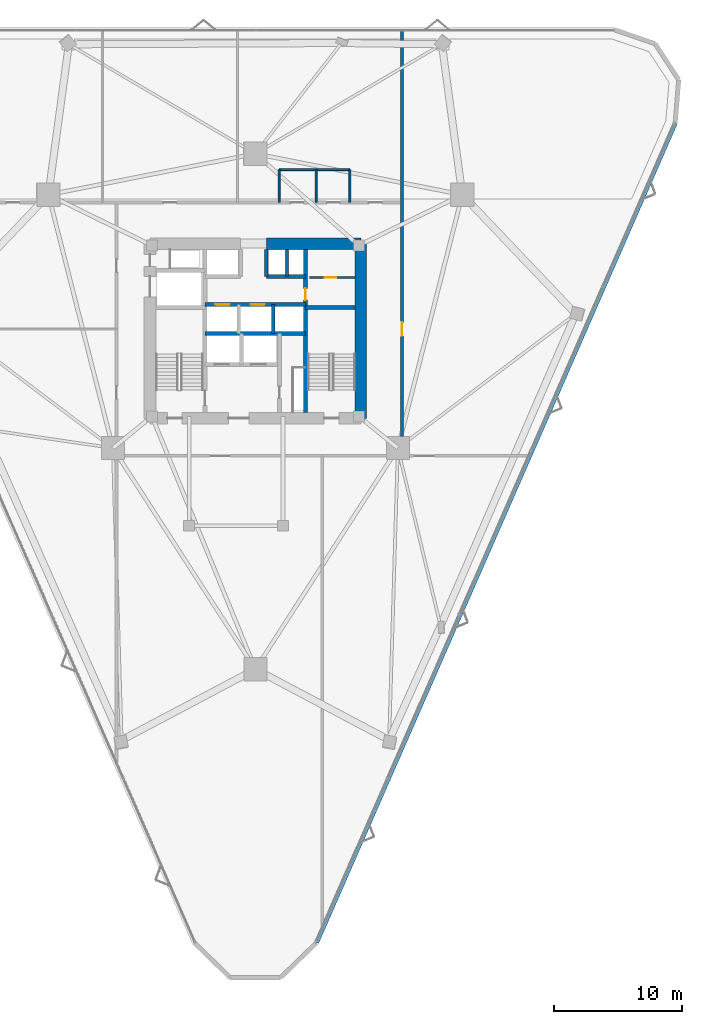
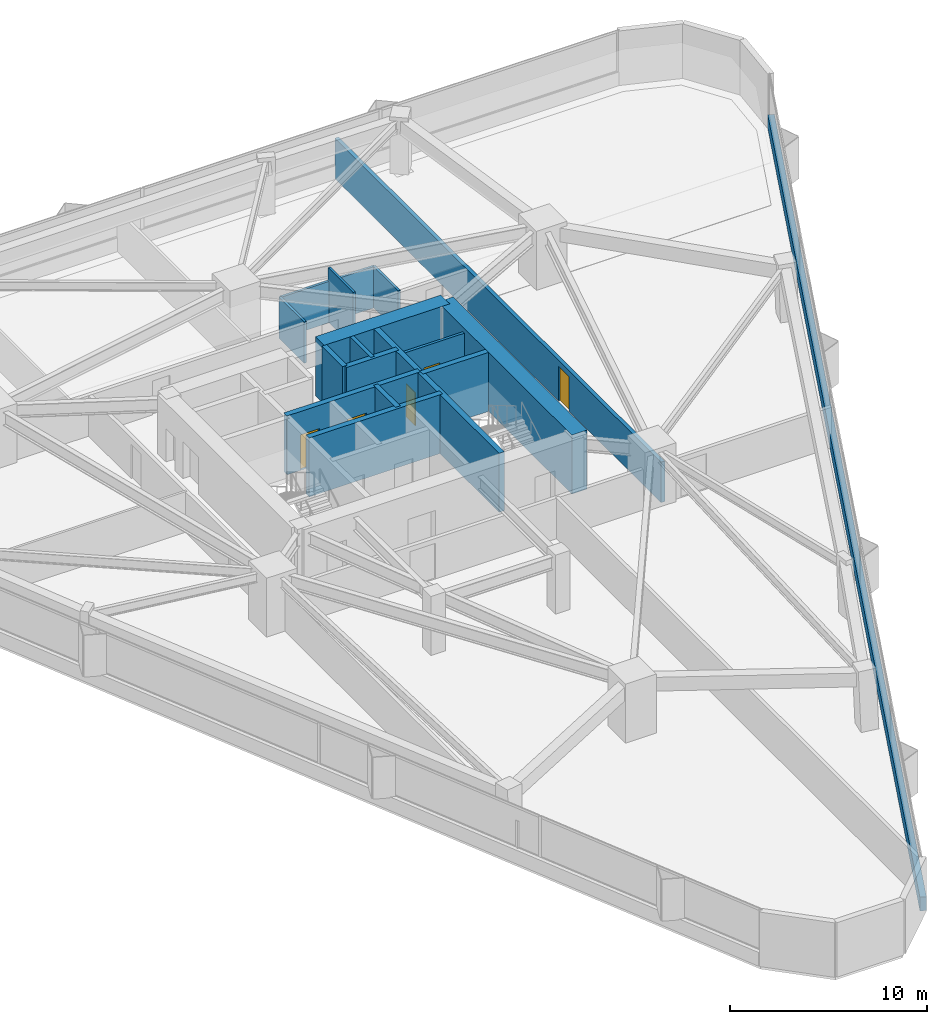
# One storey, part 18 of 21: 17 walls, 5 doors, 5 openings.
"""IFC4 building model written with IfcOpenShell, lengths in metres."""

import ifcopenshell
import ifcopenshell.guid

model = None  # the IFC model being written
_history = None  # IfcOwnerHistory: only IFC2X3 demands one
_inside = {}  # id of a spatial element -> (the spatial element, [elements in it])
_under = {}  # id of a project, library or spatial element -> (it, [spatial elements below it])
_declared = {}  # id of a project -> (the project, [libraries it declares])
_typed = {}  # id of a type object -> (the type object, [elements of that type])
_made_of = {}  # id of a material, layer set ... -> (it, [elements and type objects made of it])


def new_model(schema):
    """Start an empty IFC model of exactly this schema.

    Asked for "IFC4X3", IfcOpenShell would pick the latest addendum, in which some entities
    have other attributes; the version numbers below select the first issue.
    IFC2X3 requires an IfcOwnerHistory on every rooted entity: one is made here for all.
    """
    global model, _history
    if schema == "IFC4X3":
        model = ifcopenshell.file(schema_version=(4, 3, 0, 0))
    else:
        model = ifcopenshell.file(schema=schema)
    _inside.clear()
    _under.clear()
    _declared.clear()
    _typed.clear()
    _made_of.clear()
    _history = None
    if model.schema == "IFC2X3":
        org = make("IfcOrganization", Name="unknown")
        user = make(
            "IfcPersonAndOrganization",
            ThePerson=make("IfcPerson", FamilyName="unknown"),
            TheOrganization=org,
        )
        app = make(
            "IfcApplication",
            ApplicationDeveloper=org,
            Version="unknown",
            ApplicationFullName="unknown",
            ApplicationIdentifier="unknown",
        )
        _history = make(
            "IfcOwnerHistory",
            OwningUser=user,
            OwningApplication=app,
            ChangeAction="ADDED",
            CreationDate=0,
        )
    return model


def make(cls, **values):
    """One entity of the class cls with the attributes given. An attribute that is None is left unset."""
    return model.create_entity(
        cls, **{name: value for name, value in values.items() if value is not None}
    )


def rooted(cls, **values):
    """An entity with a GlobalId (a new one), such as an element, a storey or a relation."""
    return make(cls, GlobalId=ifcopenshell.guid.new(), OwnerHistory=_history, **values)


def si_unit(unit_type, name, prefix=None):
    """IfcSIUnit, for example si_unit("LENGTHUNIT", "METRE", prefix="MILLI")."""
    return make("IfcSIUnit", UnitType=unit_type, Prefix=prefix, Name=name)


def assignment(units):
    """IfcUnitAssignment: the units of a project."""
    return None if units is None else make("IfcUnitAssignment", Units=units)


def point(xyz):
    """IfcCartesianPoint."""
    return None if xyz is None else make("IfcCartesianPoint", Coordinates=xyz)


def direction(xyz):
    """IfcDirection."""
    return None if xyz is None else make("IfcDirection", DirectionRatios=xyz)


def frame(location, z_axis=None, x_axis=None):
    """IfcAxis2Placement3D, a coordinate frame: its origin and axes. An axis left out is left unset."""
    return make(
        "IfcAxis2Placement3D",
        Location=point(location),
        Axis=direction(z_axis),
        RefDirection=direction(x_axis),
    )


def frame_2d(location, x_axis=None):
    """IfcAxis2Placement2D, a coordinate frame in the plane: its origin and x axis."""
    return make(
        "IfcAxis2Placement2D", Location=point(location), RefDirection=direction(x_axis)
    )


def origin():
    """The frame at (0, 0, 0) with its axes left unset."""
    return frame((0.0, 0.0, 0.0))


def place(relative_to, where):
    """IfcLocalPlacement: puts the frame where relative to a parent placement (None: the world)."""
    return make(
        "IfcLocalPlacement", PlacementRelTo=relative_to, RelativePlacement=where
    )


def context(
    kind, dimensions, precision=None, world=None, true_north=None, identifier=None
):
    """IfcGeometricRepresentationContext, for example the 3D "Model" context."""
    return make(
        "IfcGeometricRepresentationContext",
        ContextIdentifier=identifier,
        ContextType=kind,
        CoordinateSpaceDimension=dimensions,
        Precision=precision,
        WorldCoordinateSystem=world,
        TrueNorth=true_north,
    )


def subcontext(parent, identifier, kind, view, scale=None):
    """IfcGeometricRepresentationSubContext, for example "Body" below "Model"."""
    return make(
        "IfcGeometricRepresentationSubContext",
        ContextIdentifier=identifier,
        ContextType=kind,
        ParentContext=parent,
        TargetScale=scale,
        TargetView=view,
    )


def project(units=None, contexts=None):
    """IfcProject with its units and contexts."""
    return rooted(
        "IfcProject",
        Name="project",
        RepresentationContexts=contexts,
        UnitsInContext=assignment(units),
    )


def spatial(cls, under=None, at=None, **own):
    """A site, building, storey or space (cls), placed at a placement, below another one or the project."""
    s = rooted(cls, ObjectPlacement=at, **own)
    if under is not None:
        _under.setdefault(under.id(), (under, []))[1].append(s)
    return s


def profile(cls, at=None, kind="AREA", **sizes):
    """A parametric profile (cls). Its sizes go by their IFC names, for example OverallWidth=200.0."""
    return make(cls, ProfileType=kind, Position=at, **sizes)


def rectangle(**sizes):
    """IfcRectangleProfileDef."""
    return profile("IfcRectangleProfileDef", **sizes)


def extrude(swept, where, along, depth):
    """IfcExtrudedAreaSolid: the profile swept, set in the frame where, extruded along a direction by depth."""
    return make(
        "IfcExtrudedAreaSolid",
        SweptArea=swept,
        Position=where,
        ExtrudedDirection=direction(along),
        Depth=depth,
    )


def shape(context_of_items, identifier, shape_type, items):
    """IfcShapeRepresentation: the items that make up one representation, for example the "Body"."""
    return make(
        "IfcShapeRepresentation",
        ContextOfItems=context_of_items,
        RepresentationIdentifier=identifier,
        RepresentationType=shape_type,
        Items=items,
    )


def material(Name=None, Category=None):
    """IfcMaterial."""
    return make("IfcMaterial", Name=Name, Category=Category)


def layer(
    of_material, thickness, ventilated=None, Name=None, Category=None, Priority=None
):
    """IfcMaterialLayer: one layer of a wall or slab, of a material (None: an air gap)."""
    return make(
        "IfcMaterialLayer",
        Material=of_material,
        LayerThickness=thickness,
        IsVentilated=ventilated,
        Name=Name,
        Category=Category,
        Priority=Priority,
    )


def layer_set(layers, Name=None):
    """IfcMaterialLayerSet."""
    return make("IfcMaterialLayerSet", MaterialLayers=layers, LayerSetName=Name)


def made_of(thing, what):
    """Note that an element or type object is made of a material, layer set ...; save() writes the relation."""
    if what is not None:
        _made_of.setdefault(what.id(), (what, []))[1].append(thing)
    return thing


def type_object(cls, material=None, **own):
    """A type object (cls), such as IfcWallType, which elements share."""
    return made_of(rooted(cls, **own), material)


def element(
    cls,
    number,
    at=None,
    inside=None,
    cuts=None,
    type_object=None,
    material=None,
    context=None,
    identifier="Body",
    shape_type=None,
    held_by="IfcProductDefinitionShape",
    body=None,
    shapes=None,
    **own,
):
    """One element of the class cls, such as IfcWall. Its Tag is "e" and its number.

    at: its placement. inside: the storey or other place that contains it. cuts: it is an
    opening in that element (IfcRelVoidsElement). A single representation is given by context,
    identifier, shape_type and body (its items); several are given by shapes. held_by: the class
    of the entity that holds the representations. save() writes the other relations.
    """
    e = rooted(cls, Tag="e%d" % number, ObjectPlacement=at, **own)
    if body is not None:
        shapes = [shape(context, identifier, shape_type, body)]
    if shapes is not None:
        e.Representation = make(held_by, Representations=shapes)
    if inside is not None:
        _inside.setdefault(inside.id(), (inside, []))[1].append(e)
    if cuts is not None:
        rooted(
            "IfcRelVoidsElement", RelatingBuildingElement=cuts, RelatedOpeningElement=e
        )
    if type_object is not None:
        _typed.setdefault(type_object.id(), (type_object, []))[1].append(e)
    return made_of(e, material)


def fill(opening, filler):
    """IfcRelFillsElement: the door or window that sits in an opening."""
    return rooted(
        "IfcRelFillsElement",
        RelatingOpeningElement=opening,
        RelatedBuildingElement=filler,
    )


def aggregate(whole, parts):
    """IfcRelAggregates: a whole, such as a stair, and the parts it consists of."""
    return rooted("IfcRelAggregates", RelatingObject=whole, RelatedObjects=parts)


def save(model, path):
    """Write the relations noted so far, then the file.

    IfcRelAggregates (storeys below a building ...), IfcRelContainedInSpatialStructure (elements
    in a storey), IfcRelDefinesByType, IfcRelAssociatesMaterial and IfcRelDeclares: one each for
    every whole, place, type object, material and project.
    """
    for whole, parts in _under.values():
        aggregate(whole, parts)
    for where, things in _inside.values():
        rooted(
            "IfcRelContainedInSpatialStructure",
            RelatedElements=things,
            RelatingStructure=where,
        )
    for kind, things in _typed.values():
        rooted("IfcRelDefinesByType", RelatedObjects=things, RelatingType=kind)
    for what, things in _made_of.values():
        rooted("IfcRelAssociatesMaterial", RelatedObjects=things, RelatingMaterial=what)
    for by, libraries in _declared.values():
        rooted("IfcRelDeclares", RelatingContext=by, RelatedDefinitions=libraries)
    model.write(path)


model = new_model("IFC4")

# Units and contexts
model_context = context("Model", 3, precision=1e-05, world=origin(), true_north=direction((0.0, 1.0)))
body_context = subcontext(model_context, "Body", "Model", "MODEL_VIEW")
ifc_project = project(units=[si_unit("LENGTHUNIT", "METRE"), si_unit("AREAUNIT", "SQUARE_METRE"), si_unit("VOLUMEUNIT", "CUBIC_METRE"), si_unit("PLANEANGLEUNIT", "RADIAN"), si_unit("MASSUNIT", "GRAM", prefix="KILO")], contexts=[model_context])

# Site, building, storey
site_placement = place(None, origin())
site = spatial("IfcSite", under=ifc_project, at=site_placement, CompositionType="ELEMENT")
building_placement = place(site_placement, origin())
building = spatial("IfcBuilding", under=site, at=building_placement, Name="Talyreon Biosciences Tower", CompositionType="ELEMENT")
storey_placement = place(building_placement, frame((0.0, 0.0, 55.64990234375)))
storey = spatial("IfcBuildingStorey", under=building, at=storey_placement, Name="L14", CompositionType="ELEMENT", Elevation=55.64990234375)

# Walls
ifc_material_1 = material(Name="Concrete C50/60", Category="concrete")
ifc_layer_1 = layer(ifc_material_1, 0.219970703125)
ifc_layer_set_1 = layer_set([ifc_layer_1], Name="Concrete C50/60")
wall_type_1 = type_object("IfcWallType", Name="CoreShearWall_220", PredefinedType="SHEAR", material=ifc_layer_set_1)
wall_1_placement = place(storey_placement, frame((68.4599609375, 72.25, 0.0), z_axis=(0.0, 0.0, 1.0), x_axis=(0.0, 1.0, 0.0)))
element("IfcWall", 1, at=wall_1_placement, inside=storey, type_object=wall_type_1, Name="L14 Core Shaft Wall SWPHD", PredefinedType="SHEAR", context=body_context, shape_type="SweptSolid", body=[
    extrude(rectangle(XDim=2.10009765625, YDim=0.219970703125, at=frame_2d((1.050048828125, 0.0))), origin(), (0.0, 0.0, 1.0), 3.650146484375),
])
ifc_layer_2 = layer(ifc_material_1, 0.280029296875)
ifc_layer_set_2 = layer_set([ifc_layer_2], Name="Concrete C50/60")
wall_type_2 = type_object("IfcWallType", Name="CoreShearWall_280", PredefinedType="SHEAR", material=ifc_layer_set_2)
wall_2_placement = place(storey_placement, frame((66.85009765625, 72.25, 0.0), z_axis=(0.0, 0.0, 1.0), x_axis=(0.0, 1.0, 0.0)))
element("IfcWall", 2, at=wall_2_placement, inside=storey, type_object=wall_type_2, Name="L14 Core Shaft Wall SWTHE", PredefinedType="SHEAR", context=body_context, shape_type="SweptSolid", body=[
    extrude(rectangle(XDim=2.10009765625, YDim=0.280029296875, at=frame_2d((1.050048828125, 0.0))), origin(), (0.0, 0.0, 1.0), 3.650146484375),
])
wall_3_placement = place(storey_placement, frame((67.3798828125, 67.800048828125, 0.0), z_axis=(0.0, 0.0, 1.0), x_axis=(0.0, 1.0, 0.0)))
element("IfcWall", 3, at=wall_3_placement, inside=storey, type_object=wall_type_2, Name="L14 Core Shaft Wall SWPMD", PredefinedType="SHEAR", context=body_context, shape_type="SweptSolid", body=[
    extrude(rectangle(XDim=2.25, YDim=0.280029296875, at=frame_2d((1.125, 0.0))), origin(), (0.0, 0.0, 1.0), 3.650146484375),
])

# Wall, opening, door
ifc_layer_3 = layer(ifc_material_1, 0.320068359375)
ifc_layer_set_3 = layer_set([ifc_layer_3], Name="Concrete C50/60")
wall_type_3 = type_object("IfcWallType", Name="CoreShearWall_320", PredefinedType="SHEAR", material=ifc_layer_set_3)
wall_4_placement = place(storey_placement, frame((69.909912109375, 61.64990234375, 0.0), z_axis=(0.0, 0.0, 1.0), x_axis=(0.0, 1.0, 0.0)))
wall_4 = element("IfcWall", 4, at=wall_4_placement, inside=storey, type_object=wall_type_3, Name="L14 Core Shaft Wall SW2W", PredefinedType="SHEAR", context=body_context, shape_type="SweptSolid", body=[
    extrude(rectangle(XDim=12.7001953125, YDim=0.320068359375, at=frame_2d((6.35009765625, 0.0))), origin(), (0.0, 0.0, 1.0), 3.650146484375),
])
opening_1_placement = place(wall_4_placement, frame((8.75, 0.0, 0.0)))
opening_1 = element("IfcOpeningElement", 5, at=opening_1_placement, cuts=wall_4, Name="Opening DR-L14-CSRV", PredefinedType="OPENING", context=body_context, shape_type="SweptSolid", body=[
    extrude(rectangle(XDim=0.919921875, YDim=2.050048828125, at=frame_2d((0.4599609375, 1.02490234375))), frame((0.0, 0.169921875, 0.0), z_axis=(0.0, -1.0, 0.0), x_axis=(1.0, 0.0, 0.0)), (0.0, 0.0, 1.0), 0.340087890625),
])
ifc_material_2 = material(Name="Painted steel fire-rated riser door", Category="steel")
door_type_1 = type_object("IfcDoorType", Name="RiserPlantAccessDoor_920x2050", OperationType="NOTDEFINED", PredefinedType="DOOR", material=ifc_material_2)
door_1_placement = place(opening_1_placement, origin())
door_1 = element("IfcDoor", 6, at=door_1_placement, inside=storey, type_object=door_type_1, Name="L14 Core Door DR-L14-CSRV", OperationType="SINGLE_SWING_RIGHT", OverallHeight=2.050048828125, OverallWidth=0.919921875, PredefinedType="DOOR", context=body_context, shape_type="SweptSolid", body=[
    extrude(rectangle(XDim=0.919921875, YDim=2.050048828125, at=frame_2d((0.4599609375, 1.02490234375))), frame((0.0, 0.02490234375, 0.0), z_axis=(0.0, -1.0, 0.0), x_axis=(1.0, 0.0, 0.0)), (0.0, 0.0, 1.0), 0.050048828125),
])
fill(opening_1, door_1)

# Walls
wall_5_placement = place(storey_placement, frame((69.909912109375, 69.81005859375, 0.0), z_axis=(0.0, 0.0, 1.0), x_axis=(1.0, 0.0, 0.0)))
element("IfcWall", 7, at=wall_5_placement, inside=storey, type_object=wall_type_3, Name="L14 Core Shaft Wall SW2N", PredefinedType="SHEAR", context=body_context, shape_type="SweptSolid", body=[
    extrude(rectangle(XDim=3.840087890625, YDim=0.320068359375, at=frame_2d((1.919921875, 0.0))), origin(), (0.0, 0.0, 1.0), 3.650146484375),
])
wall_6_placement = place(storey_placement, frame((62.090087890625, 67.800048828125, 0.0), z_axis=(0.0, 0.0, 1.0), x_axis=(1.0, 0.0, 0.0)))
element("IfcWall", 8, at=wall_6_placement, inside=storey, type_object=wall_type_3, Name="L14 Core Shaft Wall SWSHM", PredefinedType="SHEAR", context=body_context, shape_type="SweptSolid", body=[
    extrude(rectangle(XDim=7.81982421875, YDim=0.320068359375, at=frame_2d((3.909912109375, 0.0))), origin(), (0.0, 0.0, 1.0), 3.650146484375),
])

# Wall, openings, doors
wall_7_placement = place(storey_placement, frame((62.090087890625, 70.050048828125, 0.0), z_axis=(0.0, 0.0, 1.0), x_axis=(1.0, 0.0, 0.0)))
wall_7 = element("IfcWall", 9, at=wall_7_placement, inside=storey, type_object=wall_type_3, Name="L14 Core Shaft Wall SWSPN", PredefinedType="SHEAR", context=body_context, shape_type="SweptSolid", body=[
    extrude(rectangle(XDim=7.81982421875, YDim=0.320068359375, at=frame_2d((3.909912109375, 0.0))), origin(), (0.0, 0.0, 1.0), 3.650146484375),
])
opening_2_placement = place(wall_7_placement, frame((0.800048828125, 0.0, 0.0)))
opening_2 = element("IfcOpeningElement", 10, at=opening_2_placement, cuts=wall_7, Name="Opening LD-L14-PL1", PredefinedType="OPENING", context=body_context, shape_type="SweptSolid", body=[
    extrude(rectangle(XDim=1.10009765625, YDim=2.199951171875, at=frame_2d((0.550048828125, 1.10009765625))), frame((0.0, 0.169921875, 0.0), z_axis=(0.0, -1.0, 0.0), x_axis=(1.0, 0.0, 0.0)), (0.0, 0.0, 1.0), 0.340087890625),
])
opening_3_placement = place(wall_7_placement, frame((3.550048828125, 0.0, 0.0)))
opening_3 = element("IfcOpeningElement", 11, at=opening_3_placement, cuts=wall_7, Name="Opening LD-L14-PL2", PredefinedType="OPENING", context=body_context, shape_type="SweptSolid", body=[
    extrude(rectangle(XDim=1.10009765625, YDim=2.199951171875, at=frame_2d((0.550048828125, 1.10009765625))), frame((0.0, 0.169921875, 0.0), z_axis=(0.0, -1.0, 0.0), x_axis=(1.0, 0.0, 0.0)), (0.0, 0.0, 1.0), 0.340087890625),
])
ifc_material_3 = material(Name="Brushed stainless-steel lift landing door", Category="steel")
door_type_2 = type_object("IfcDoorType", Name="LiftSlidingLandingDoor_1100x2200", OperationType="SLIDING_TO_LEFT", PredefinedType="DOOR", material=ifc_material_3)
door_2_placement = place(opening_2_placement, origin())
door_2 = element("IfcDoor", 12, at=door_2_placement, inside=storey, type_object=door_type_2, Name="L14 Core Door LD-L14-PL1", OperationType="SLIDING_TO_LEFT", OverallHeight=2.199951171875, OverallWidth=1.10009765625, PredefinedType="DOOR", context=body_context, shape_type="SweptSolid", body=[
    extrude(rectangle(XDim=1.10009765625, YDim=2.199951171875, at=frame_2d((0.550048828125, 1.10009765625))), frame((0.0, 0.02490234375, 0.0), z_axis=(0.0, -1.0, 0.0), x_axis=(1.0, 0.0, 0.0)), (0.0, 0.0, 1.0), 0.050048828125),
])
fill(opening_2, door_2)
door_3_placement = place(opening_3_placement, origin())
door_3 = element("IfcDoor", 13, at=door_3_placement, inside=storey, type_object=door_type_2, Name="L14 Core Door LD-L14-PL2", OperationType="SLIDING_TO_LEFT", OverallHeight=2.199951171875, OverallWidth=1.10009765625, PredefinedType="DOOR", context=body_context, shape_type="SweptSolid", body=[
    extrude(rectangle(XDim=1.10009765625, YDim=2.199951171875, at=frame_2d((0.550048828125, 1.10009765625))), frame((0.0, 0.02490234375, 0.0), z_axis=(0.0, -1.0, 0.0), x_axis=(1.0, 0.0, 0.0)), (0.0, 0.0, 1.0), 0.050048828125),
])
fill(opening_3, door_3)

# Walls
wall_8_placement = place(storey_placement, frame((66.85009765625, 72.25, 0.0), z_axis=(0.0, 0.0, 1.0), x_axis=(1.0, 0.0, 0.0)))
element("IfcWall", 14, at=wall_8_placement, inside=storey, type_object=wall_type_3, Name="L14 Core Shaft Wall SWNPE", PredefinedType="SHEAR", context=body_context, shape_type="SweptSolid", body=[
    extrude(rectangle(XDim=3.059814453125, YDim=0.320068359375, at=frame_2d((1.52978515625, 0.0))), origin(), (0.0, 0.0, 1.0), 3.650146484375),
])
ifc_material_4 = material(Name="Concrete C60/75", Category="concrete")
ifc_layer_4 = layer(ifc_material_4, 0.89990234375)
ifc_layer_set_4 = layer_set([ifc_layer_4], Name="Concrete C60/75")
wall_type_4 = type_object("IfcWallType", Name="CoreShearWall_900", PredefinedType="SHEAR", material=ifc_layer_set_4)
wall_9_placement = place(storey_placement, frame((74.199951171875, 61.199951171875, 0.0), z_axis=(0.0, 0.0, 1.0), x_axis=(0.0, 1.0, 0.0)))
element("IfcWall", 15, at=wall_9_placement, inside=storey, type_object=wall_type_4, Name="L14 Core Shear Wall E", PredefinedType="SHEAR", context=body_context, shape_type="SweptSolid", body=[
    extrude(rectangle(XDim=13.60009765625, YDim=0.89990234375, at=frame_2d((6.800048828125, 0.0))), origin(), (0.0, 0.0, 1.0), 3.650146484375),
])
wall_10_placement = place(storey_placement, frame((74.199951171875, 74.800048828125, 0.0), z_axis=(0.0, 0.0, 1.0), x_axis=(-1.0, 0.0, 0.0)))
element("IfcWall", 16, at=wall_10_placement, inside=storey, type_object=wall_type_4, Name="L14 Core Shear Wall NE", PredefinedType="SHEAR", context=body_context, shape_type="SweptSolid", body=[
    extrude(rectangle(XDim=7.349853515625, YDim=0.89990234375, at=frame_2d((3.6748046875, 0.0))), origin(), (0.0, 0.0, 1.0), 3.650146484375),
])

# Wall, opening, door
ifc_material_5 = material(Name="Gypsum fireboard acoustic stud", Category="gypsum")
ifc_layer_5 = layer(ifc_material_5, 0.219970703125)
ifc_layer_set_5 = layer_set([ifc_layer_5], Name="Gypsum fireboard acoustic stud")
wall_type_5 = type_object("IfcWallType", Name="CorridorRatedPartition_220", PredefinedType="PARTITIONING", material=ifc_layer_set_5)
wall_11_placement = place(storey_placement, frame((77.39990234375, 58.280029296875, 0.0), z_axis=(0.0, 0.0, 1.0), x_axis=(0.0, 1.0, 0.0)))
wall_11 = element("IfcWall", 17, at=wall_11_placement, inside=storey, type_object=wall_type_5, Name="L14 Interior Wall IW-L14-COR-E", PredefinedType="PARTITIONING", context=body_context, shape_type="SweptSolid", body=[
    extrude(rectangle(XDim=33.0888671875, YDim=0.219970703125, at=frame_2d((16.54443359375, 0.0))), origin(), (0.0, 0.0, 1.0), 2.505126953125),
])
opening_4_placement = place(wall_11_placement, frame((9.3349609375, 0.0, 0.0)))
opening_4 = element("IfcOpeningElement", 18, at=opening_4_placement, cuts=wall_11, Name="Opening DR-L14-E1A", PredefinedType="OPENING", context=body_context, shape_type="SweptSolid", body=[
    extrude(rectangle(XDim=1.050048828125, YDim=2.14990234375, at=frame_2d((0.52490234375, 1.074951171875))), frame((0.0, 0.119873046875, 0.0), z_axis=(0.0, -1.0, 0.0), x_axis=(1.0, 0.0, 0.0)), (0.0, 0.0, 1.0), 0.239990234375),
])
ifc_material_6 = material(Name="Acoustic timber-core laboratory door", Category="wood")
door_type_3 = type_object("IfcDoorType", Name="DryLabSingleDoor_1050x2150", OperationType="NOTDEFINED", PredefinedType="DOOR", material=ifc_material_6)
door_4_placement = place(opening_4_placement, origin())
door_4 = element("IfcDoor", 19, at=door_4_placement, inside=storey, type_object=door_type_3, Name="L14 Interior Door DR-L14-E1A", OperationType="SINGLE_SWING_RIGHT", OverallHeight=2.14990234375, OverallWidth=1.050048828125, PredefinedType="DOOR", context=body_context, shape_type="SweptSolid", body=[
    extrude(rectangle(XDim=1.050048828125, YDim=2.14990234375, at=frame_2d((0.52490234375, 1.074951171875))), frame((0.0, 0.02490234375, 0.0), z_axis=(0.0, -1.0, 0.0), x_axis=(1.0, 0.0, 0.0)), (0.0, 0.0, 1.0), 0.050048828125),
])
fill(opening_4, door_4)

ifc_material_7 = material(Name="Gypsum acoustic stud partition", Category="gypsum")
ifc_layer_6 = layer(ifc_material_7, 0.159912109375)
ifc_layer_set_6 = layer_set([ifc_layer_6], Name="Gypsum acoustic stud partition")
wall_type_6 = type_object("IfcWallType", Name="LabSeparationPartition_160", PredefinedType="PARTITIONING", material=ifc_layer_set_6)
wall_12_placement = place(storey_placement, frame((70.22998046875, 72.14990234375, 0.0), z_axis=(0.0, 0.0, 1.0), x_axis=(1.0, 0.0, 0.0)))
wall_12 = element("IfcWall", 20, at=wall_12_placement, inside=storey, type_object=wall_type_6, Name="L14 Interior Wall IW-L14-CSRV-H", PredefinedType="PARTITIONING", context=body_context, shape_type="SweptSolid", body=[
    extrude(rectangle(XDim=3.52001953125, YDim=0.159912109375, at=frame_2d((1.760009765625, 0.0))), origin(), (0.0, 0.0, 1.0), 3.375),
])
opening_5_placement = place(wall_12_placement, frame((1.14990234375, 0.0, 0.0)))
opening_5 = element("IfcOpeningElement", 21, at=opening_5_placement, cuts=wall_12, Name="Opening DR-L14-CSRV-I", PredefinedType="OPENING", context=body_context, shape_type="SweptSolid", body=[
    extrude(rectangle(XDim=0.919921875, YDim=2.050048828125, at=frame_2d((0.4599609375, 1.02490234375))), frame((0.0, 0.08984375, 0.0), z_axis=(0.0, -1.0, 0.0), x_axis=(1.0, 0.0, 0.0)), (0.0, 0.0, 1.0), 0.179931640625),
])
door_5_placement = place(opening_5_placement, origin())
door_5 = element("IfcDoor", 22, at=door_5_placement, inside=storey, type_object=door_type_1, Name="L14 Interior Door DR-L14-CSRV-I", OperationType="SINGLE_SWING_LEFT", OverallHeight=2.050048828125, OverallWidth=0.919921875, PredefinedType="DOOR", context=body_context, shape_type="SweptSolid", body=[
    extrude(rectangle(XDim=0.919921875, YDim=2.050048828125, at=frame_2d((0.4599609375, 1.02490234375))), frame((0.0, 0.02490234375, 0.0), z_axis=(0.0, -1.0, 0.0), x_axis=(1.0, 0.0, 0.0)), (0.0, 0.0, 1.0), 0.050048828125),
])
fill(opening_5, door_5)

# Walls
ifc_material_8 = material(Name="Precast concrete C45/55", Category="concrete")
ifc_layer_7 = layer(ifc_material_8, 0.340087890625)
ifc_layer_set_7 = layer_set([ifc_layer_7], Name="Precast concrete C45/55")
wall_type_7 = type_object("IfcWallType", Name="PrecastConcreteSpandrelWall_340", PredefinedType="STANDARD", material=ifc_layer_set_7)
wall_13_placement = place(storey_placement, frame((98.67919921875, 84.168701171875, 0.0), z_axis=(0.0, 0.0, 1.0), x_axis=(-0.400969676651, -0.916091326455, 0.0)))
element("IfcWall", 23, at=wall_13_placement, inside=storey, type_object=wall_type_7, Name="L14 Expressed Concrete Sill Wall 08", PredefinedType="STANDARD", context=body_context, shape_type="SweptSolid", body=[
    extrude(rectangle(XDim=69.6201171875, YDim=0.340087890625, at=frame_2d((34.81005859375, 0.0))), origin(), (0.0, 0.0, 1.0), 0.85009765625),
])
ifc_material_9 = material(Name="Moisture-resistant cement-board stud", Category="gypsum")
ifc_layer_8 = layer(ifc_material_9, 0.14501953125)
ifc_layer_set_8 = layer_set([ifc_layer_8], Name="Moisture-resistant cement-board stud")
wall_type_8 = type_object("IfcWallType", Name="WetRoomPartition_145", PredefinedType="PARTITIONING", material=ifc_layer_set_8)
wall_14_placement = place(storey_placement, frame((67.85009765625, 78.0, 0.0), z_axis=(0.0, 0.0, 1.0), x_axis=(0.0, 1.0, 0.0)))
element("IfcWall", 24, at=wall_14_placement, inside=storey, type_object=wall_type_8, Name="L14 Interior Wall IW-L14-WCL", PredefinedType="PARTITIONING", context=body_context, shape_type="SweptSolid", body=[
    extrude(rectangle(XDim=2.550048828125, YDim=0.14501953125, at=frame_2d((1.27490234375, 0.0))), origin(), (0.0, 0.0, 1.0), 2.55517578125),
])
wall_15_placement = place(storey_placement, frame((70.72509765625, 78.0, 0.0), z_axis=(0.0, 0.0, 1.0), x_axis=(0.0, 1.0, 0.0)))
element("IfcWall", 25, at=wall_15_placement, inside=storey, type_object=wall_type_8, Name="L14 Interior Wall IW-L14-WCM", PredefinedType="PARTITIONING", context=body_context, shape_type="SweptSolid", body=[
    extrude(rectangle(XDim=2.550048828125, YDim=0.14501953125, at=frame_2d((1.27490234375, 0.0))), origin(), (0.0, 0.0, 1.0), 3.375),
])
wall_16_placement = place(storey_placement, frame((73.35009765625, 78.0, 0.0), z_axis=(0.0, 0.0, 1.0), x_axis=(0.0, 1.0, 0.0)))
element("IfcWall", 26, at=wall_16_placement, inside=storey, type_object=wall_type_8, Name="L14 Interior Wall IW-L14-WCR", PredefinedType="PARTITIONING", context=body_context, shape_type="SweptSolid", body=[
    extrude(rectangle(XDim=2.550048828125, YDim=0.14501953125, at=frame_2d((1.27490234375, 0.0))), origin(), (0.0, 0.0, 1.0), 2.55517578125),
])
wall_17_placement = place(storey_placement, frame((67.85009765625, 80.550048828125, 0.0), z_axis=(0.0, 0.0, 1.0), x_axis=(1.0, 0.0, 0.0)))
element("IfcWall", 27, at=wall_17_placement, inside=storey, type_object=wall_type_8, Name="L14 Interior Wall IW-L14-WCT", PredefinedType="PARTITIONING", context=body_context, shape_type="SweptSolid", body=[
    extrude(rectangle(XDim=5.5, YDim=0.14501953125, at=frame_2d((2.75, 0.0))), origin(), (0.0, 0.0, 1.0), 2.55517578125),
])

save(model, "model.ifc")
